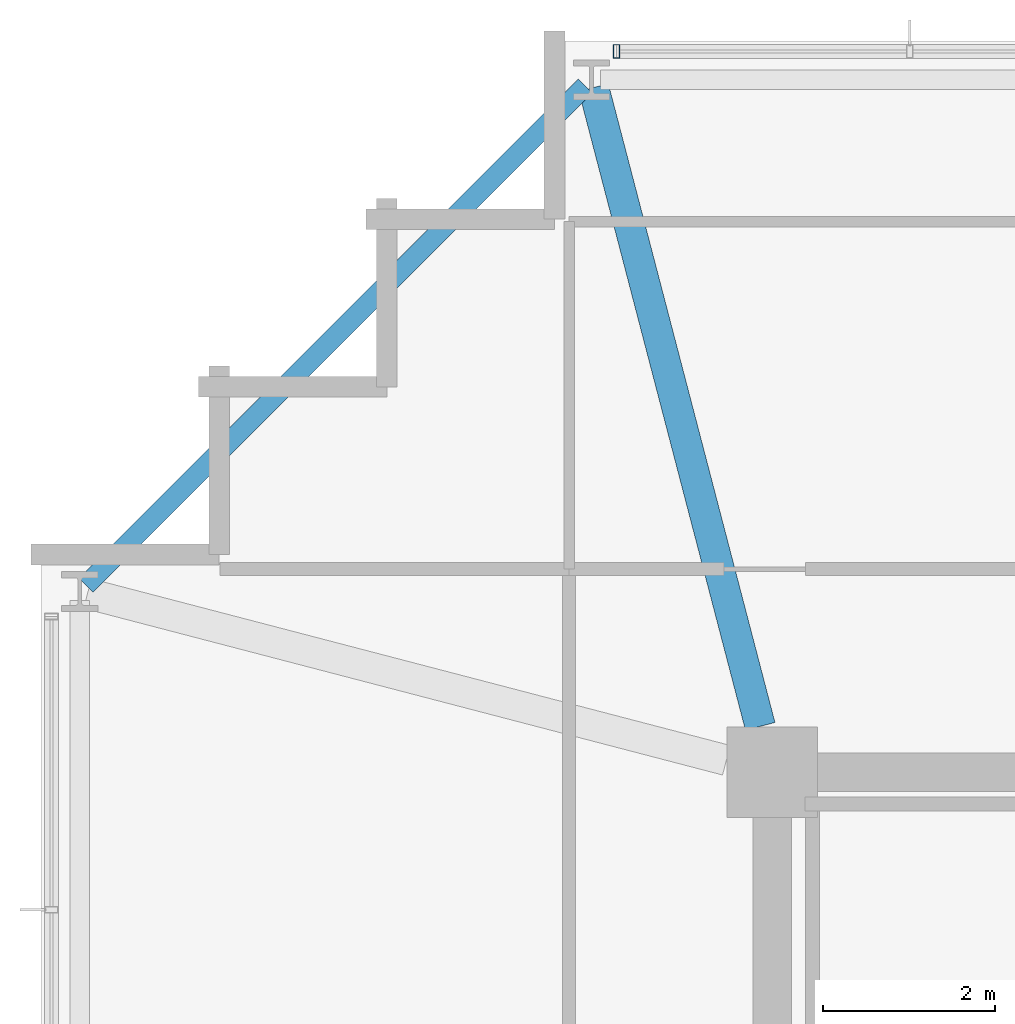
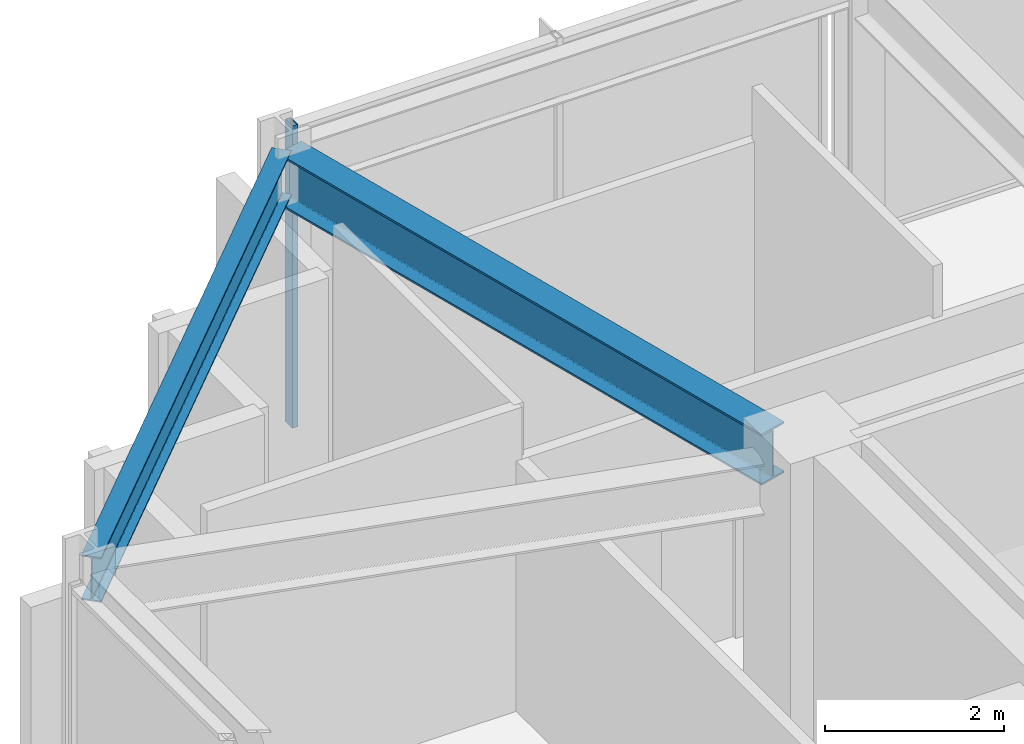
# One storey, part 14 of 26: 2 beams, 1 member, 1 element without a shape of its own.
"""IFC4 building model written with IfcOpenShell, lengths in metres."""

from ifc_helpers import new_model, si_unit, direction, frame, origin, origin_2d, place, context, subcontext, project, spatial, hollow_rectangle, i_section, extrude, material, material_profile, profile_set, type_object, element, aggregate, save


model = new_model("IFC4")

# Units and contexts
model_context = context("Model", 3, precision=1e-05, world=origin(), true_north=direction((0.0, 1.0)))
body_context = subcontext(model_context, "Body", "Model", "MODEL_VIEW")
ifc_project = project(units=[si_unit("LENGTHUNIT", "METRE"), si_unit("AREAUNIT", "SQUARE_METRE"), si_unit("VOLUMEUNIT", "CUBIC_METRE"), si_unit("PLANEANGLEUNIT", "RADIAN"), si_unit("MASSUNIT", "GRAM", prefix="KILO")], contexts=[model_context])

# Site, building, storey
site_placement = place(None, origin())
site = spatial("IfcSite", under=ifc_project, at=site_placement, CompositionType="ELEMENT")
building_placement = place(site_placement, origin())
building = spatial("IfcBuilding", under=site, at=building_placement, Name="Kolvaren Belvedere", CompositionType="ELEMENT")
storey_placement = place(building_placement, frame((0.0, 0.0, 258.39990234375)))
storey = spatial("IfcBuildingStorey", under=building, at=storey_placement, Name="L75", CompositionType="ELEMENT", Elevation=258.39990234375)

# Beams
ifc_material_1 = material(Name="Structural steel ASTM A992 Grade 50", Category="steel")
ifc_material_profile_1 = material_profile(ifc_material_1, i_section(OverallWidth=0.35498046875, OverallDepth=0.696044921875, WebThickness=0.015380859375, FlangeThickness=0.02490234375, FilletRadius=0.02197265625, at=origin_2d()), Name="W27X146")
ifc_profile_set_1 = profile_set([ifc_material_profile_1], Name="Structural steel ASTM A992 Grade 50")
beam_type_1 = type_object("IfcBeamType", Name="BM-GIRD-W27X146", PredefinedType="BEAM", material=ifc_profile_set_1)
beam_1_placement = place(storey_placement, frame((-10.038818359375, 10.43212890625, 3.772216796875), z_axis=(-0.252423191796, 0.967616934661, 0.0), x_axis=(-0.967616934661, -0.252423191796, 0.0)))
element("IfcBeam", 1, at=beam_1_placement, inside=storey, type_object=beam_type_1, Name="L75 Corner Core-to-Perimeter Girder CC4-N1", PredefinedType="BEAM", context=body_context, shape_type="SweptSolid", body=[
    extrude(i_section(OverallWidth=0.35498046875, OverallDepth=0.696044921875, WebThickness=0.015380859375, FlangeThickness=0.02490234375, FilletRadius=0.02197265625, at=origin_2d()), origin(), (0.0, 0.0, 1.0), 7.676513671875),
])
ifc_material_2 = material(Name="Structural steel ASTM A992 Grade 50", Category="steel")
ifc_material_profile_2 = material_profile(ifc_material_2, i_section(OverallWidth=0.22900390625, OverallDepth=0.612060546875, WebThickness=0.011962890625, FlangeThickness=0.01953125, FilletRadius=0.01806640625, at=origin_2d()), Name="W24X84")
ifc_profile_set_2 = profile_set([ifc_material_profile_2], Name="Structural steel ASTM A992 Grade 50")
beam_type_2 = type_object("IfcBeamType", Name="BM-SPAN-W24X84", PredefinedType="SPANDREL", material=ifc_profile_set_2)
beam_2_placement = place(storey_placement, frame((-12.073974609375, 17.8759765625, 3.814208984375), z_axis=(-0.707106781187, -0.707106781187, 0.0), x_axis=(0.707106781187, -0.707106781187, 0.0)))
element("IfcBeam", 2, at=beam_2_placement, inside=storey, type_object=beam_type_2, Name="L75 Perimeter Spandrel N1-W4", PredefinedType="SPANDREL", context=body_context, shape_type="SweptSolid", body=[
    extrude(i_section(OverallWidth=0.22900390625, OverallDepth=0.612060546875, WebThickness=0.011962890625, FlangeThickness=0.01953125, FilletRadius=0.01806640625, at=origin_2d()), origin(), (0.0, 0.0, 1.0), 8.205322265625),
])

# Curtain wall, member
ifc_material_3 = material(Name="Anodised pale-metal aluminium AA 6063-T6", Category="aluminium")
curtain_wall_type = type_object("IfcCurtainWallType", Name="CW-CRN-OBS", PredefinedType="NOTDEFINED", material=ifc_material_3)
curtain_wall_placement = place(storey_placement, origin())
curtain_wall = element("IfcCurtainWall", 3, at=curtain_wall_placement, inside=storey, type_object=curtain_wall_type, Name="L75 Unitised Curtain Wall FCW-L75-N-B1", PredefinedType="NOTDEFINED")
ifc_material_4 = material(Name="Anodised pale-metal aluminium AA 6063-T6", Category="aluminium")
ifc_material_profile_3 = material_profile(ifc_material_4, hollow_rectangle(XDim=0.074951171875, YDim=0.159912109375, WallThickness=0.00439453125, at=origin_2d()), Name="ALU-MUL-160X75")
ifc_profile_set_3 = profile_set([ifc_material_profile_3], Name="Anodised pale-metal aluminium AA 6063-T6")
member_type = type_object("IfcMemberType", Name="CW-MUL-160", PredefinedType="MULLION", material=ifc_profile_set_3)
member_placement = place(storey_placement, frame((-11.7099609375, 18.280029296875, 0.0), z_axis=(0.0, 0.0, 1.0), x_axis=(1.0, 0.0, 0.0)))
member = element("IfcMember", 4, at=member_placement, type_object=member_type, Name="FCW-L75-N-B1 Unitised Mullion 1", PredefinedType="MULLION", context=body_context, shape_type="SweptSolid", body=[
    extrude(hollow_rectangle(XDim=0.074951171875, YDim=0.159912109375, WallThickness=0.00439453125, at=origin_2d()), origin(), (0.0, 0.0, 1.0), 4.1201171875),
])
aggregate(curtain_wall, [member])

save(model, "model.ifc")
